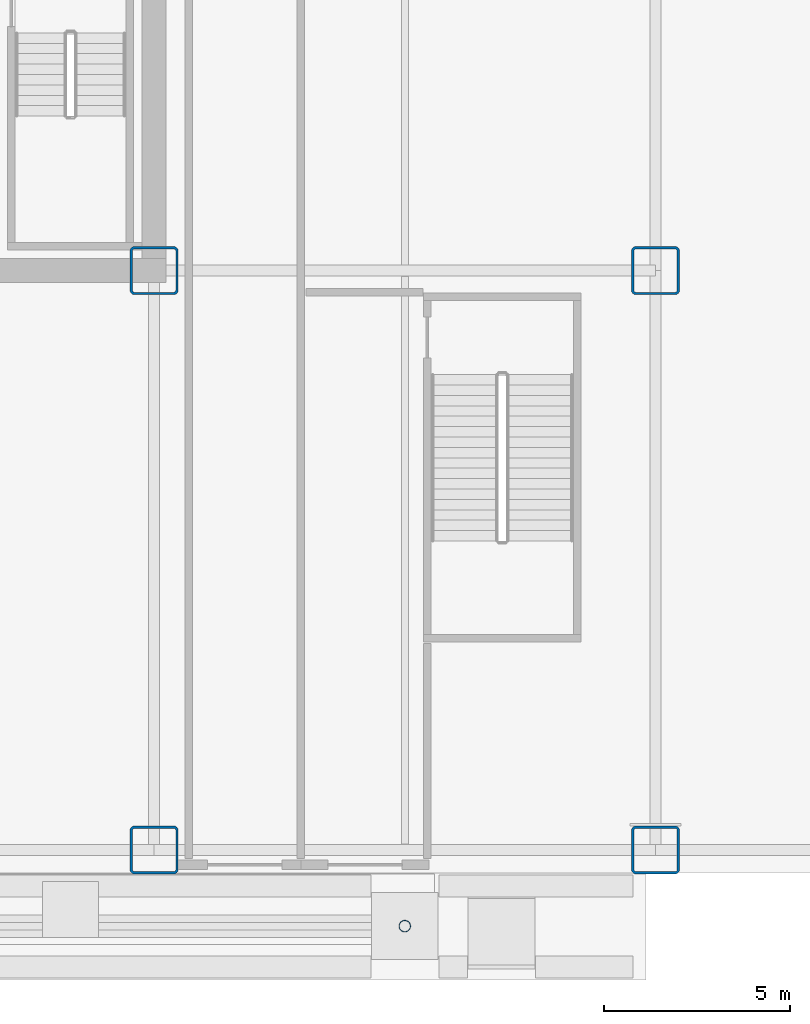
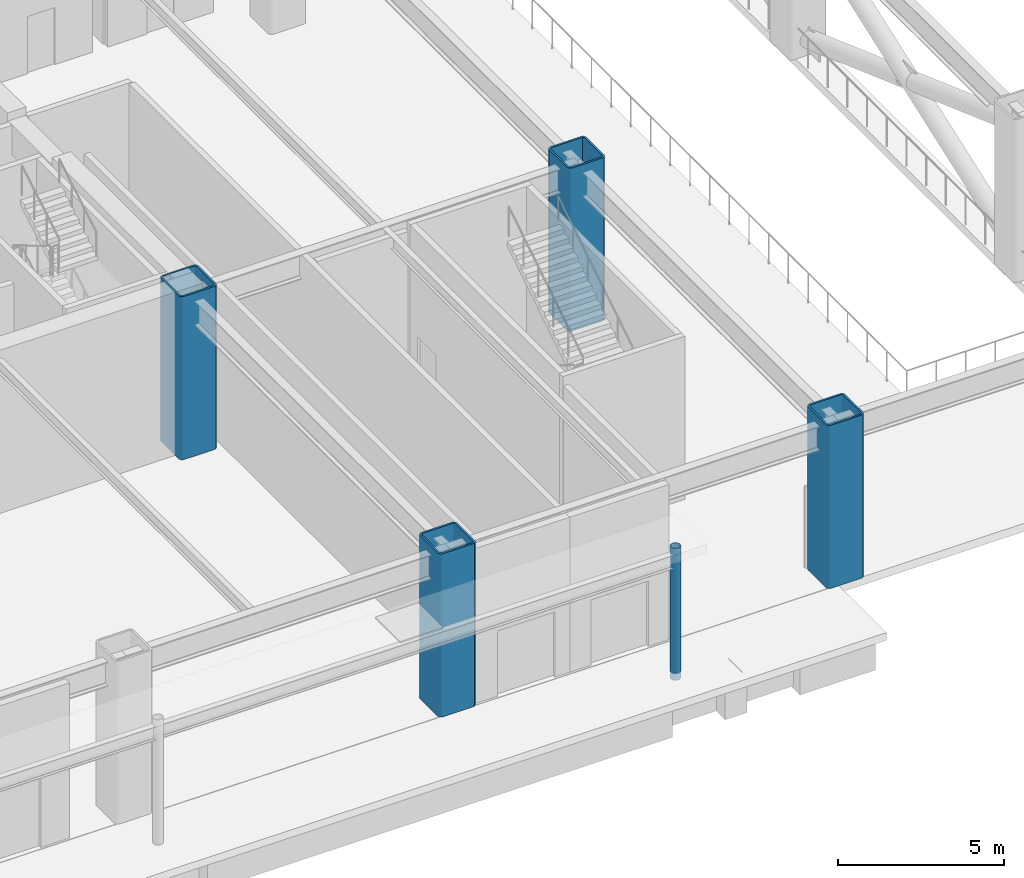
# One storey, part 3 of 17: 5 columns.
"""IFC4 building model written with IfcOpenShell, lengths in metres."""

from ifc_helpers import new_model, si_unit, direction, frame, origin, origin_2d, place, context, subcontext, project, spatial, hollow_rectangle, hollow_circle, extrude, source, transform, mapped, material, material_profile, profile_set, type_object, element, save


model = new_model("IFC4")

# Units and contexts
model_context = context("Model", 3, precision=1e-05, world=origin(), true_north=direction((0.0, 1.0)))
body_context = subcontext(model_context, "Body", "Model", "MODEL_VIEW")
ifc_project = project(units=[si_unit("LENGTHUNIT", "METRE"), si_unit("AREAUNIT", "SQUARE_METRE"), si_unit("VOLUMEUNIT", "CUBIC_METRE"), si_unit("PLANEANGLEUNIT", "RADIAN"), si_unit("MASSUNIT", "GRAM", prefix="KILO")], contexts=[model_context])

# Site, building, storey
site_placement = place(None, origin())
site = spatial("IfcSite", under=ifc_project, at=site_placement, CompositionType="ELEMENT")
building_placement = place(site_placement, origin())
building = spatial("IfcBuilding", under=site, at=building_placement, Name="Nefas-Gora Pilgrimage Tower", CompositionType="ELEMENT")
storey_placement = place(building_placement, origin())
storey = spatial("IfcBuildingStorey", under=building, at=storey_placement, Name="L00", CompositionType="ELEMENT", Elevation=0.0)

# Columns
ifc_material_1 = material(Name="Steel S355", Category="steel")
ifc_material_profile_1 = material_profile(ifc_material_1, hollow_circle(Radius=0.161865234375, WallThickness=0.02001953125, at=origin_2d()), Name="CHS 323.9x20")
ifc_profile_set_1 = profile_set([ifc_material_profile_1], Name="Steel S355")
column_type_1 = type_object("IfcColumnType", Name="COL-CAN-324", PredefinedType="COLUMN", material=ifc_profile_set_1)
shared_shape_1 = source(origin(), body_context, "Body", "SweptSolid", [
    extrude(hollow_circle(Radius=0.161865234375, WallThickness=0.02001953125, at=origin_2d()), origin(), (0.0, 0.0, 1.0), 4.85009765625),
])
column_placement = place(storey_placement, frame((18.0, -26.64990234375, -0.25), z_axis=(0.0, 0.0, 1.0), x_axis=(1.0, 0.0, 0.0)))
element("IfcColumn", 1, at=column_placement, inside=storey, type_object=column_type_1, Name="Arrival Canopy Column CC-01.6", PredefinedType="COLUMN", context=body_context, shape_type="MappedRepresentation", body=[
    mapped(shared_shape_1, transform((0.0, 0.0, 0.0), x_axis=(1.0, 0.0, 0.0), y_axis=(0.0, 1.0, 0.0), z_axis=(0.0, 0.0, 1.0), scale=1.0)),
])
ifc_material_2 = material(Name="Steel S460", Category="steel")
ifc_material_profile_2 = material_profile(ifc_material_2, hollow_rectangle(XDim=1.300048828125, YDim=1.300048828125, WallThickness=0.06494140625, InnerFilletRadius=0.06494140625, OuterFilletRadius=0.1298828125, at=origin_2d()), Name="BOX 1300x1300x65")
ifc_profile_set_2 = profile_set([ifc_material_profile_2], Name="Steel S460")
column_type_2 = type_object("IfcColumnType", Name="COL-MEGA-1300E", PredefinedType="COLUMN", material=ifc_profile_set_2)
shared_shape_2 = source(origin(), body_context, "Body", "SweptSolid", [
    extrude(hollow_rectangle(XDim=1.300048828125, YDim=1.300048828125, WallThickness=0.06494140625, InnerFilletRadius=0.06494140625, OuterFilletRadius=0.1298828125, at=origin_2d()), origin(), (0.0, 0.0, 1.0), 6.0),
])
for number, where, z_axis, x_axis, name in (
    (2, (11.25, -24.60009765625, 0.0), (0.0, 0.0, 1.0), (1.0, 0.0, 0.0), "L00 Mega-Column MC-01E.16"),
    (3, (11.25, -9.0, 0.0), (0.0, 0.0, 1.0), (1.0, 0.0, 0.0), "L00 Mega-Column MC-01E.17"),
    (4, (24.75, -24.60009765625, 0.0), (0.0, 0.0, 1.0), (1.0, 0.0, 0.0), "L00 Mega-Column MC-01E.20"),
    (5, (24.75, -9.0, 0.0), (0.0, 0.0, 1.0), (1.0, 0.0, 0.0), "L00 Mega-Column MC-01E.21"),
):
    element("IfcColumn", number, at=place(storey_placement, frame(where, z_axis=z_axis, x_axis=x_axis)), inside=storey, type_object=column_type_2, Name=name, PredefinedType="COLUMN", context=body_context, shape_type="MappedRepresentation", body=[
        mapped(shared_shape_2, transform((0.0, 0.0, 0.0), x_axis=(1.0, 0.0, 0.0), y_axis=(0.0, 1.0, 0.0), z_axis=(0.0, 0.0, 1.0), scale=1.0)),
    ])

save(model, "model.ifc")
